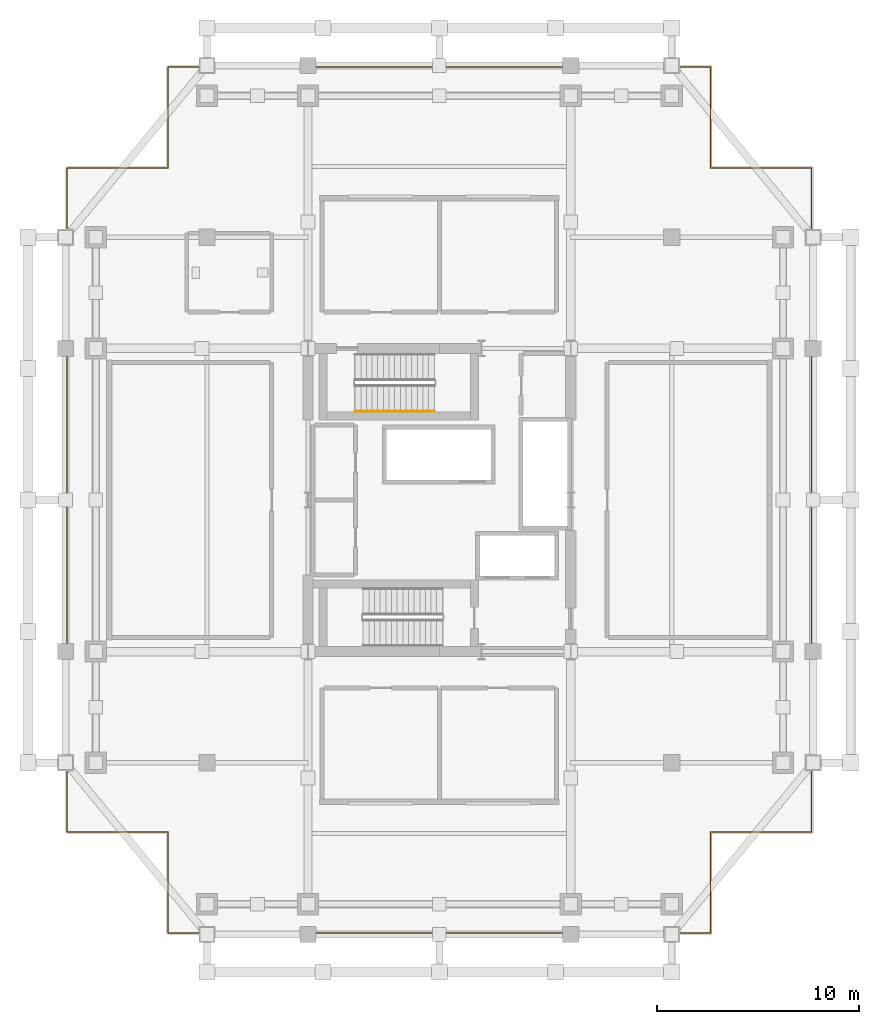
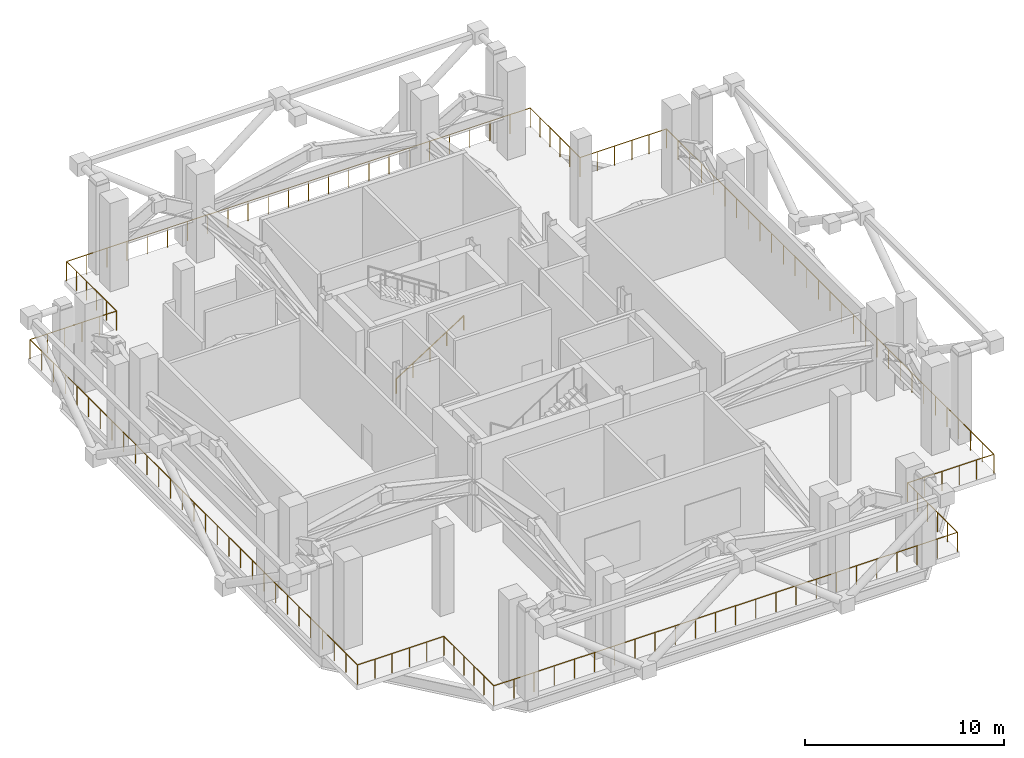
# One storey, part 7 of 9: 2 railings.
"""IFC4 building model written with IfcOpenShell, lengths in metres."""

from ifc_helpers import new_model, si_unit, direction, frame, origin, origin_2d, place, context, subcontext, project, spatial, circle, extrude, material, type_object, element, save


model = new_model("IFC4")

# Units and contexts
model_context = context("Model", 3, precision=1e-05, world=origin(), true_north=direction((0.0, 1.0)))
body_context = subcontext(model_context, "Body", "Model", "MODEL_VIEW")
ifc_project = project(units=[si_unit("LENGTHUNIT", "METRE"), si_unit("AREAUNIT", "SQUARE_METRE"), si_unit("VOLUMEUNIT", "CUBIC_METRE"), si_unit("PLANEANGLEUNIT", "RADIAN"), si_unit("MASSUNIT", "GRAM", prefix="KILO")], contexts=[model_context])

# Site, building, storey
site_placement = place(None, origin())
site = spatial("IfcSite", under=ifc_project, at=site_placement, CompositionType="ELEMENT")
building_placement = place(site_placement, origin())
building = spatial("IfcBuilding", under=site, at=building_placement, Name="Barlavira Tower and Art Museum", CompositionType="ELEMENT")
storey_placement = place(building_placement, frame((0.0, 0.0, 212.39990234375)))
storey = spatial("IfcBuildingStorey", under=building, at=storey_placement, Name="L55", CompositionType="ELEMENT", Elevation=212.39990234375)

# Railings
ifc_material_1 = material(Name="Brushed stainless steel", Category="steel")
railing_type_1 = type_object("IfcRailingType", Name="Stair Pitch Tubular Steel Handrail 920", PredefinedType="HANDRAIL", material=ifc_material_1)
railing_1_placement = place(storey_placement, frame((-4.169921875, 4.39990234375, 0.18017578125)))
element("IfcRailing", 1, at=railing_1_placement, inside=storey, type_object=railing_type_1, Name="L55 ST-T2 stair handrail 1", PredefinedType="HANDRAIL", context=body_context, shape_type="SweptSolid", body=[
    extrude(circle(Radius=0.02392578125, at=origin_2d()), frame((0.0, 0.0, 0.8759765625), z_axis=(0.841171666519, 0.0, 0.540768182723), x_axis=(0.0, 1.0, 0.0)), (0.0, 0.0, 1.0), 4.66015625),
    extrude(circle(Radius=0.02099609375, at=origin_2d()), origin(), (0.0, 0.0, 1.0), 0.851806640625),
    extrude(circle(Radius=0.02099609375, at=origin_2d()), frame((0.97998046875, 0.0, 0.6298828125)), (0.0, 0.0, 1.0), 0.851806640625),
    extrude(circle(Radius=0.02099609375, at=origin_2d()), frame((1.9599609375, 0.0, 1.260009765625)), (0.0, 0.0, 1.0), 0.851806640625),
    extrude(circle(Radius=0.02099609375, at=origin_2d()), frame((2.93994140625, 0.0, 1.89013671875)), (0.0, 0.0, 1.0), 0.851806640625),
    extrude(circle(Radius=0.02099609375, at=origin_2d()), frame((3.919921875, 0.0, 2.52001953125)), (0.0, 0.0, 1.0), 0.851806640625),
])
ifc_material_2 = material(Name="Laminated safety glass and stainless steel", Category="steel")
railing_type_2 = type_object("IfcRailingType", Name="Terrace and Wind-Floor Laminated Glass Balustrade 1200", PredefinedType="BALUSTRADE", material=ifc_material_2)
railing_2_placement = place(storey_placement, frame((-13.419921875, -21.419921875, 0.0)))
element("IfcRailing", 2, at=railing_2_placement, inside=storey, type_object=railing_type_2, Name="L55 Open Wind Floor Perimeter Balustrade", PredefinedType="BALUSTRADE", context=body_context, shape_type="SweptSolid", body=[
    extrude(circle(Radius=0.02392578125, at=origin_2d()), frame((0.0, 0.0, 1.17578125), z_axis=(1.0, 0.0, 0.0), x_axis=(0.0, 1.0, 0.0)), (0.0, 0.0, 1.0), 26.83984375),
    extrude(circle(Radius=0.02392578125, at=origin_2d()), frame((26.83984375, 0.0, 1.17578125), z_axis=(0.0, 1.0, 0.0), x_axis=(-1.0, 0.0, 0.0)), (0.0, 0.0, 1.0), 5.0),
    extrude(circle(Radius=0.02392578125, at=origin_2d()), frame((26.83984375, 5.0, 1.17578125), z_axis=(1.0, 0.0, 0.0), x_axis=(0.0, 1.0, 0.0)), (0.0, 0.0, 1.0), 5.0),
    extrude(circle(Radius=0.02392578125, at=origin_2d()), frame((31.83984375, 5.0, 1.17578125), z_axis=(0.0, 1.0, 0.0), x_axis=(-1.0, 0.0, 0.0)), (0.0, 0.0, 1.0), 32.83984375),
    extrude(circle(Radius=0.02392578125, at=origin_2d()), frame((31.83984375, 37.83984375, 1.17578125), z_axis=(-1.0, 0.0, 0.0), x_axis=(0.0, -1.0, 0.0)), (0.0, 0.0, 1.0), 5.0),
    extrude(circle(Radius=0.02392578125, at=origin_2d()), frame((26.83984375, 37.83984375, 1.17578125), z_axis=(0.0, 1.0, 0.0), x_axis=(-1.0, 0.0, 0.0)), (0.0, 0.0, 1.0), 5.0),
    extrude(circle(Radius=0.02392578125, at=origin_2d()), frame((26.83984375, 42.83984375, 1.17578125), z_axis=(-1.0, 0.0, 0.0), x_axis=(0.0, -1.0, 0.0)), (0.0, 0.0, 1.0), 26.83984375),
    extrude(circle(Radius=0.02392578125, at=origin_2d()), frame((0.0, 42.83984375, 1.17578125), z_axis=(0.0, -1.0, 0.0), x_axis=(1.0, 0.0, 0.0)), (0.0, 0.0, 1.0), 5.0),
    extrude(circle(Radius=0.02392578125, at=origin_2d()), frame((0.0, 37.83984375, 1.17578125), z_axis=(-1.0, 0.0, 0.0), x_axis=(0.0, -1.0, 0.0)), (0.0, 0.0, 1.0), 5.0),
    extrude(circle(Radius=0.02392578125, at=origin_2d()), frame((-5.0, 37.83984375, 1.17578125), z_axis=(0.0, -1.0, 0.0), x_axis=(1.0, 0.0, 0.0)), (0.0, 0.0, 1.0), 32.83984375),
    extrude(circle(Radius=0.02392578125, at=origin_2d()), frame((-5.0, 5.0, 1.17578125), z_axis=(1.0, 0.0, 0.0), x_axis=(0.0, 1.0, 0.0)), (0.0, 0.0, 1.0), 5.0),
    extrude(circle(Radius=0.02392578125, at=origin_2d()), frame((0.0, 5.0, 1.17578125), z_axis=(0.0, -1.0, 0.0), x_axis=(1.0, 0.0, 0.0)), (0.0, 0.0, 1.0), 5.0),
    extrude(circle(Radius=0.02099609375, at=origin_2d()), origin(), (0.0, 0.0, 1.0), 1.15185546875),
    extrude(circle(Radius=0.02099609375, at=origin_2d()), frame((1.1669921875, 0.0, 0.0)), (0.0, 0.0, 1.0), 1.15185546875),
    extrude(circle(Radius=0.02099609375, at=origin_2d()), frame((2.333984375, 0.0, 0.0)), (0.0, 0.0, 1.0), 1.15185546875),
    extrude(circle(Radius=0.02099609375, at=origin_2d()), frame((3.500732421875, 0.0, 0.0)), (0.0, 0.0, 1.0), 1.15185546875),
    extrude(circle(Radius=0.02099609375, at=origin_2d()), frame((4.667724609375, 0.0, 0.0)), (0.0, 0.0, 1.0), 1.15185546875),
    extrude(circle(Radius=0.02099609375, at=origin_2d()), frame((5.834716796875, 0.0, 0.0)), (0.0, 0.0, 1.0), 1.15185546875),
    extrude(circle(Radius=0.02099609375, at=origin_2d()), frame((7.001708984375, 0.0, 0.0)), (0.0, 0.0, 1.0), 1.15185546875),
    extrude(circle(Radius=0.02099609375, at=origin_2d()), frame((8.168701171875, 0.0, 0.0)), (0.0, 0.0, 1.0), 1.15185546875),
    extrude(circle(Radius=0.02099609375, at=origin_2d()), frame((9.335693359375, 0.0, 0.0)), (0.0, 0.0, 1.0), 1.15185546875),
    extrude(circle(Radius=0.02099609375, at=origin_2d()), frame((10.50244140625, 0.0, 0.0)), (0.0, 0.0, 1.0), 1.15185546875),
    extrude(circle(Radius=0.02099609375, at=origin_2d()), frame((11.66943359375, 0.0, 0.0)), (0.0, 0.0, 1.0), 1.15185546875),
    extrude(circle(Radius=0.02099609375, at=origin_2d()), frame((12.83642578125, 0.0, 0.0)), (0.0, 0.0, 1.0), 1.15185546875),
    extrude(circle(Radius=0.02099609375, at=origin_2d()), frame((14.00341796875, 0.0, 0.0)), (0.0, 0.0, 1.0), 1.15185546875),
    extrude(circle(Radius=0.02099609375, at=origin_2d()), frame((15.17041015625, 0.0, 0.0)), (0.0, 0.0, 1.0), 1.15185546875),
    extrude(circle(Radius=0.02099609375, at=origin_2d()), frame((16.33740234375, 0.0, 0.0)), (0.0, 0.0, 1.0), 1.15185546875),
    extrude(circle(Radius=0.02099609375, at=origin_2d()), frame((17.504150390625, 0.0, 0.0)), (0.0, 0.0, 1.0), 1.15185546875),
    extrude(circle(Radius=0.02099609375, at=origin_2d()), frame((18.671142578125, 0.0, 0.0)), (0.0, 0.0, 1.0), 1.15185546875),
    extrude(circle(Radius=0.02099609375, at=origin_2d()), frame((19.838134765625, 0.0, 0.0)), (0.0, 0.0, 1.0), 1.15185546875),
    extrude(circle(Radius=0.02099609375, at=origin_2d()), frame((21.005126953125, 0.0, 0.0)), (0.0, 0.0, 1.0), 1.15185546875),
    extrude(circle(Radius=0.02099609375, at=origin_2d()), frame((22.172119140625, 0.0, 0.0)), (0.0, 0.0, 1.0), 1.15185546875),
    extrude(circle(Radius=0.02099609375, at=origin_2d()), frame((23.339111328125, 0.0, 0.0)), (0.0, 0.0, 1.0), 1.15185546875),
    extrude(circle(Radius=0.02099609375, at=origin_2d()), frame((24.505859375, 0.0, 0.0)), (0.0, 0.0, 1.0), 1.15185546875),
    extrude(circle(Radius=0.02099609375, at=origin_2d()), frame((25.6728515625, 0.0, 0.0)), (0.0, 0.0, 1.0), 1.15185546875),
    extrude(circle(Radius=0.02099609375, at=origin_2d()), frame((26.83984375, 0.0, 0.0)), (0.0, 0.0, 1.0), 1.15185546875),
    extrude(circle(Radius=0.02099609375, at=origin_2d()), frame((26.83984375, 1.0, 0.0)), (0.0, 0.0, 1.0), 1.15185546875),
    extrude(circle(Radius=0.02099609375, at=origin_2d()), frame((26.83984375, 2.0, 0.0)), (0.0, 0.0, 1.0), 1.15185546875),
    extrude(circle(Radius=0.02099609375, at=origin_2d()), frame((26.83984375, 3.0, 0.0)), (0.0, 0.0, 1.0), 1.15185546875),
    extrude(circle(Radius=0.02099609375, at=origin_2d()), frame((26.83984375, 4.0, 0.0)), (0.0, 0.0, 1.0), 1.15185546875),
    extrude(circle(Radius=0.02099609375, at=origin_2d()), frame((26.83984375, 5.0, 0.0)), (0.0, 0.0, 1.0), 1.15185546875),
    extrude(circle(Radius=0.02099609375, at=origin_2d()), frame((27.83984375, 5.0, 0.0)), (0.0, 0.0, 1.0), 1.15185546875),
    extrude(circle(Radius=0.02099609375, at=origin_2d()), frame((28.83984375, 5.0, 0.0)), (0.0, 0.0, 1.0), 1.15185546875),
    extrude(circle(Radius=0.02099609375, at=origin_2d()), frame((29.83984375, 5.0, 0.0)), (0.0, 0.0, 1.0), 1.15185546875),
    extrude(circle(Radius=0.02099609375, at=origin_2d()), frame((30.83984375, 5.0, 0.0)), (0.0, 0.0, 1.0), 1.15185546875),
    extrude(circle(Radius=0.02099609375, at=origin_2d()), frame((31.83984375, 5.0, 0.0)), (0.0, 0.0, 1.0), 1.15185546875),
    extrude(circle(Radius=0.02099609375, at=origin_2d()), frame((31.83984375, 6.1728515625, 0.0)), (0.0, 0.0, 1.0), 1.15185546875),
    extrude(circle(Radius=0.02099609375, at=origin_2d()), frame((31.83984375, 7.345703125, 0.0)), (0.0, 0.0, 1.0), 1.15185546875),
    extrude(circle(Radius=0.02099609375, at=origin_2d()), frame((31.83984375, 8.5185546875, 0.0)), (0.0, 0.0, 1.0), 1.15185546875),
    extrude(circle(Radius=0.02099609375, at=origin_2d()), frame((31.83984375, 9.69140625, 0.0)), (0.0, 0.0, 1.0), 1.15185546875),
    extrude(circle(Radius=0.02099609375, at=origin_2d()), frame((31.83984375, 10.8642578125, 0.0)), (0.0, 0.0, 1.0), 1.15185546875),
    extrude(circle(Radius=0.02099609375, at=origin_2d()), frame((31.83984375, 12.037109375, 0.0)), (0.0, 0.0, 1.0), 1.15185546875),
    extrude(circle(Radius=0.02099609375, at=origin_2d()), frame((31.83984375, 13.2099609375, 0.0)), (0.0, 0.0, 1.0), 1.15185546875),
    extrude(circle(Radius=0.02099609375, at=origin_2d()), frame((31.83984375, 14.3828125, 0.0)), (0.0, 0.0, 1.0), 1.15185546875),
    extrude(circle(Radius=0.02099609375, at=origin_2d()), frame((31.83984375, 15.5556640625, 0.0)), (0.0, 0.0, 1.0), 1.15185546875),
    extrude(circle(Radius=0.02099609375, at=origin_2d()), frame((31.83984375, 16.728515625, 0.0)), (0.0, 0.0, 1.0), 1.15185546875),
    extrude(circle(Radius=0.02099609375, at=origin_2d()), frame((31.83984375, 17.9013671875, 0.0)), (0.0, 0.0, 1.0), 1.15185546875),
    extrude(circle(Radius=0.02099609375, at=origin_2d()), frame((31.83984375, 19.07421875, 0.0)), (0.0, 0.0, 1.0), 1.15185546875),
    extrude(circle(Radius=0.02099609375, at=origin_2d()), frame((31.83984375, 20.2470703125, 0.0)), (0.0, 0.0, 1.0), 1.15185546875),
    extrude(circle(Radius=0.02099609375, at=origin_2d()), frame((31.83984375, 21.419921875, 0.0)), (0.0, 0.0, 1.0), 1.15185546875),
    extrude(circle(Radius=0.02099609375, at=origin_2d()), frame((31.83984375, 22.5927734375, 0.0)), (0.0, 0.0, 1.0), 1.15185546875),
    extrude(circle(Radius=0.02099609375, at=origin_2d()), frame((31.83984375, 23.765625, 0.0)), (0.0, 0.0, 1.0), 1.15185546875),
    extrude(circle(Radius=0.02099609375, at=origin_2d()), frame((31.83984375, 24.9384765625, 0.0)), (0.0, 0.0, 1.0), 1.15185546875),
    extrude(circle(Radius=0.02099609375, at=origin_2d()), frame((31.83984375, 26.111328125, 0.0)), (0.0, 0.0, 1.0), 1.15185546875),
    extrude(circle(Radius=0.02099609375, at=origin_2d()), frame((31.83984375, 27.2841796875, 0.0)), (0.0, 0.0, 1.0), 1.15185546875),
    extrude(circle(Radius=0.02099609375, at=origin_2d()), frame((31.83984375, 28.45703125, 0.0)), (0.0, 0.0, 1.0), 1.15185546875),
    extrude(circle(Radius=0.02099609375, at=origin_2d()), frame((31.83984375, 29.6298828125, 0.0)), (0.0, 0.0, 1.0), 1.15185546875),
    extrude(circle(Radius=0.02099609375, at=origin_2d()), frame((31.83984375, 30.802734375, 0.0)), (0.0, 0.0, 1.0), 1.15185546875),
    extrude(circle(Radius=0.02099609375, at=origin_2d()), frame((31.83984375, 31.9755859375, 0.0)), (0.0, 0.0, 1.0), 1.15185546875),
    extrude(circle(Radius=0.02099609375, at=origin_2d()), frame((31.83984375, 33.1484375, 0.0)), (0.0, 0.0, 1.0), 1.15185546875),
    extrude(circle(Radius=0.02099609375, at=origin_2d()), frame((31.83984375, 34.3212890625, 0.0)), (0.0, 0.0, 1.0), 1.15185546875),
    extrude(circle(Radius=0.02099609375, at=origin_2d()), frame((31.83984375, 35.494140625, 0.0)), (0.0, 0.0, 1.0), 1.15185546875),
    extrude(circle(Radius=0.02099609375, at=origin_2d()), frame((31.83984375, 36.6669921875, 0.0)), (0.0, 0.0, 1.0), 1.15185546875),
    extrude(circle(Radius=0.02099609375, at=origin_2d()), frame((31.83984375, 37.83984375, 0.0)), (0.0, 0.0, 1.0), 1.15185546875),
    extrude(circle(Radius=0.02099609375, at=origin_2d()), frame((30.83984375, 37.83984375, 0.0)), (0.0, 0.0, 1.0), 1.15185546875),
    extrude(circle(Radius=0.02099609375, at=origin_2d()), frame((29.83984375, 37.83984375, 0.0)), (0.0, 0.0, 1.0), 1.15185546875),
    extrude(circle(Radius=0.02099609375, at=origin_2d()), frame((28.83984375, 37.83984375, 0.0)), (0.0, 0.0, 1.0), 1.15185546875),
    extrude(circle(Radius=0.02099609375, at=origin_2d()), frame((27.83984375, 37.83984375, 0.0)), (0.0, 0.0, 1.0), 1.15185546875),
    extrude(circle(Radius=0.02099609375, at=origin_2d()), frame((26.83984375, 37.83984375, 0.0)), (0.0, 0.0, 1.0), 1.15185546875),
    extrude(circle(Radius=0.02099609375, at=origin_2d()), frame((26.83984375, 38.83984375, 0.0)), (0.0, 0.0, 1.0), 1.15185546875),
    extrude(circle(Radius=0.02099609375, at=origin_2d()), frame((26.83984375, 39.83984375, 0.0)), (0.0, 0.0, 1.0), 1.15185546875),
    extrude(circle(Radius=0.02099609375, at=origin_2d()), frame((26.83984375, 40.83984375, 0.0)), (0.0, 0.0, 1.0), 1.15185546875),
    extrude(circle(Radius=0.02099609375, at=origin_2d()), frame((26.83984375, 41.83984375, 0.0)), (0.0, 0.0, 1.0), 1.15185546875),
    extrude(circle(Radius=0.02099609375, at=origin_2d()), frame((26.83984375, 42.83984375, 0.0)), (0.0, 0.0, 1.0), 1.15185546875),
    extrude(circle(Radius=0.02099609375, at=origin_2d()), frame((25.6728515625, 42.83984375, 0.0)), (0.0, 0.0, 1.0), 1.15185546875),
    extrude(circle(Radius=0.02099609375, at=origin_2d()), frame((24.505859375, 42.83984375, 0.0)), (0.0, 0.0, 1.0), 1.15185546875),
    extrude(circle(Radius=0.02099609375, at=origin_2d()), frame((23.339111328125, 42.83984375, 0.0)), (0.0, 0.0, 1.0), 1.15185546875),
    extrude(circle(Radius=0.02099609375, at=origin_2d()), frame((22.172119140625, 42.83984375, 0.0)), (0.0, 0.0, 1.0), 1.15185546875),
    extrude(circle(Radius=0.02099609375, at=origin_2d()), frame((21.005126953125, 42.83984375, 0.0)), (0.0, 0.0, 1.0), 1.15185546875),
    extrude(circle(Radius=0.02099609375, at=origin_2d()), frame((19.838134765625, 42.83984375, 0.0)), (0.0, 0.0, 1.0), 1.15185546875),
    extrude(circle(Radius=0.02099609375, at=origin_2d()), frame((18.671142578125, 42.83984375, 0.0)), (0.0, 0.0, 1.0), 1.15185546875),
    extrude(circle(Radius=0.02099609375, at=origin_2d()), frame((17.504150390625, 42.83984375, 0.0)), (0.0, 0.0, 1.0), 1.15185546875),
    extrude(circle(Radius=0.02099609375, at=origin_2d()), frame((16.33740234375, 42.83984375, 0.0)), (0.0, 0.0, 1.0), 1.15185546875),
    extrude(circle(Radius=0.02099609375, at=origin_2d()), frame((15.17041015625, 42.83984375, 0.0)), (0.0, 0.0, 1.0), 1.15185546875),
    extrude(circle(Radius=0.02099609375, at=origin_2d()), frame((14.00341796875, 42.83984375, 0.0)), (0.0, 0.0, 1.0), 1.15185546875),
    extrude(circle(Radius=0.02099609375, at=origin_2d()), frame((12.83642578125, 42.83984375, 0.0)), (0.0, 0.0, 1.0), 1.15185546875),
    extrude(circle(Radius=0.02099609375, at=origin_2d()), frame((11.66943359375, 42.83984375, 0.0)), (0.0, 0.0, 1.0), 1.15185546875),
    extrude(circle(Radius=0.02099609375, at=origin_2d()), frame((10.50244140625, 42.83984375, 0.0)), (0.0, 0.0, 1.0), 1.15185546875),
    extrude(circle(Radius=0.02099609375, at=origin_2d()), frame((9.335693359375, 42.83984375, 0.0)), (0.0, 0.0, 1.0), 1.15185546875),
    extrude(circle(Radius=0.02099609375, at=origin_2d()), frame((8.168701171875, 42.83984375, 0.0)), (0.0, 0.0, 1.0), 1.15185546875),
    extrude(circle(Radius=0.02099609375, at=origin_2d()), frame((7.001708984375, 42.83984375, 0.0)), (0.0, 0.0, 1.0), 1.15185546875),
    extrude(circle(Radius=0.02099609375, at=origin_2d()), frame((5.834716796875, 42.83984375, 0.0)), (0.0, 0.0, 1.0), 1.15185546875),
    extrude(circle(Radius=0.02099609375, at=origin_2d()), frame((4.667724609375, 42.83984375, 0.0)), (0.0, 0.0, 1.0), 1.15185546875),
    extrude(circle(Radius=0.02099609375, at=origin_2d()), frame((3.500732421875, 42.83984375, 0.0)), (0.0, 0.0, 1.0), 1.15185546875),
    extrude(circle(Radius=0.02099609375, at=origin_2d()), frame((2.333984375, 42.83984375, 0.0)), (0.0, 0.0, 1.0), 1.15185546875),
    extrude(circle(Radius=0.02099609375, at=origin_2d()), frame((1.1669921875, 42.83984375, 0.0)), (0.0, 0.0, 1.0), 1.15185546875),
    extrude(circle(Radius=0.02099609375, at=origin_2d()), frame((0.0, 42.83984375, 0.0)), (0.0, 0.0, 1.0), 1.15185546875),
    extrude(circle(Radius=0.02099609375, at=origin_2d()), frame((0.0, 41.83984375, 0.0)), (0.0, 0.0, 1.0), 1.15185546875),
    extrude(circle(Radius=0.02099609375, at=origin_2d()), frame((0.0, 40.83984375, 0.0)), (0.0, 0.0, 1.0), 1.15185546875),
    extrude(circle(Radius=0.02099609375, at=origin_2d()), frame((0.0, 39.83984375, 0.0)), (0.0, 0.0, 1.0), 1.15185546875),
    extrude(circle(Radius=0.02099609375, at=origin_2d()), frame((0.0, 38.83984375, 0.0)), (0.0, 0.0, 1.0), 1.15185546875),
    extrude(circle(Radius=0.02099609375, at=origin_2d()), frame((0.0, 37.83984375, 0.0)), (0.0, 0.0, 1.0), 1.15185546875),
    extrude(circle(Radius=0.02099609375, at=origin_2d()), frame((-1.0, 37.83984375, 0.0)), (0.0, 0.0, 1.0), 1.15185546875),
    extrude(circle(Radius=0.02099609375, at=origin_2d()), frame((-2.0, 37.83984375, 0.0)), (0.0, 0.0, 1.0), 1.15185546875),
    extrude(circle(Radius=0.02099609375, at=origin_2d()), frame((-3.0, 37.83984375, 0.0)), (0.0, 0.0, 1.0), 1.15185546875),
    extrude(circle(Radius=0.02099609375, at=origin_2d()), frame((-4.0, 37.83984375, 0.0)), (0.0, 0.0, 1.0), 1.15185546875),
    extrude(circle(Radius=0.02099609375, at=origin_2d()), frame((-5.0, 37.83984375, 0.0)), (0.0, 0.0, 1.0), 1.15185546875),
    extrude(circle(Radius=0.02099609375, at=origin_2d()), frame((-5.0, 36.6669921875, 0.0)), (0.0, 0.0, 1.0), 1.15185546875),
    extrude(circle(Radius=0.02099609375, at=origin_2d()), frame((-5.0, 35.494140625, 0.0)), (0.0, 0.0, 1.0), 1.15185546875),
    extrude(circle(Radius=0.02099609375, at=origin_2d()), frame((-5.0, 34.3212890625, 0.0)), (0.0, 0.0, 1.0), 1.15185546875),
    extrude(circle(Radius=0.02099609375, at=origin_2d()), frame((-5.0, 33.1484375, 0.0)), (0.0, 0.0, 1.0), 1.15185546875),
    extrude(circle(Radius=0.02099609375, at=origin_2d()), frame((-5.0, 31.9755859375, 0.0)), (0.0, 0.0, 1.0), 1.15185546875),
    extrude(circle(Radius=0.02099609375, at=origin_2d()), frame((-5.0, 30.802734375, 0.0)), (0.0, 0.0, 1.0), 1.15185546875),
    extrude(circle(Radius=0.02099609375, at=origin_2d()), frame((-5.0, 29.6298828125, 0.0)), (0.0, 0.0, 1.0), 1.15185546875),
    extrude(circle(Radius=0.02099609375, at=origin_2d()), frame((-5.0, 28.45703125, 0.0)), (0.0, 0.0, 1.0), 1.15185546875),
    extrude(circle(Radius=0.02099609375, at=origin_2d()), frame((-5.0, 27.2841796875, 0.0)), (0.0, 0.0, 1.0), 1.15185546875),
    extrude(circle(Radius=0.02099609375, at=origin_2d()), frame((-5.0, 26.111328125, 0.0)), (0.0, 0.0, 1.0), 1.15185546875),
    extrude(circle(Radius=0.02099609375, at=origin_2d()), frame((-5.0, 24.9384765625, 0.0)), (0.0, 0.0, 1.0), 1.15185546875),
    extrude(circle(Radius=0.02099609375, at=origin_2d()), frame((-5.0, 23.765625, 0.0)), (0.0, 0.0, 1.0), 1.15185546875),
    extrude(circle(Radius=0.02099609375, at=origin_2d()), frame((-5.0, 22.5927734375, 0.0)), (0.0, 0.0, 1.0), 1.15185546875),
    extrude(circle(Radius=0.02099609375, at=origin_2d()), frame((-5.0, 21.419921875, 0.0)), (0.0, 0.0, 1.0), 1.15185546875),
    extrude(circle(Radius=0.02099609375, at=origin_2d()), frame((-5.0, 20.2470703125, 0.0)), (0.0, 0.0, 1.0), 1.15185546875),
    extrude(circle(Radius=0.02099609375, at=origin_2d()), frame((-5.0, 19.07421875, 0.0)), (0.0, 0.0, 1.0), 1.15185546875),
    extrude(circle(Radius=0.02099609375, at=origin_2d()), frame((-5.0, 17.9013671875, 0.0)), (0.0, 0.0, 1.0), 1.15185546875),
    extrude(circle(Radius=0.02099609375, at=origin_2d()), frame((-5.0, 16.728515625, 0.0)), (0.0, 0.0, 1.0), 1.15185546875),
    extrude(circle(Radius=0.02099609375, at=origin_2d()), frame((-5.0, 15.5556640625, 0.0)), (0.0, 0.0, 1.0), 1.15185546875),
    extrude(circle(Radius=0.02099609375, at=origin_2d()), frame((-5.0, 14.3828125, 0.0)), (0.0, 0.0, 1.0), 1.15185546875),
    extrude(circle(Radius=0.02099609375, at=origin_2d()), frame((-5.0, 13.2099609375, 0.0)), (0.0, 0.0, 1.0), 1.15185546875),
    extrude(circle(Radius=0.02099609375, at=origin_2d()), frame((-5.0, 12.037109375, 0.0)), (0.0, 0.0, 1.0), 1.15185546875),
    extrude(circle(Radius=0.02099609375, at=origin_2d()), frame((-5.0, 10.8642578125, 0.0)), (0.0, 0.0, 1.0), 1.15185546875),
    extrude(circle(Radius=0.02099609375, at=origin_2d()), frame((-5.0, 9.69140625, 0.0)), (0.0, 0.0, 1.0), 1.15185546875),
    extrude(circle(Radius=0.02099609375, at=origin_2d()), frame((-5.0, 8.5185546875, 0.0)), (0.0, 0.0, 1.0), 1.15185546875),
    extrude(circle(Radius=0.02099609375, at=origin_2d()), frame((-5.0, 7.345703125, 0.0)), (0.0, 0.0, 1.0), 1.15185546875),
    extrude(circle(Radius=0.02099609375, at=origin_2d()), frame((-5.0, 6.1728515625, 0.0)), (0.0, 0.0, 1.0), 1.15185546875),
    extrude(circle(Radius=0.02099609375, at=origin_2d()), frame((-5.0, 5.0, 0.0)), (0.0, 0.0, 1.0), 1.15185546875),
    extrude(circle(Radius=0.02099609375, at=origin_2d()), frame((-4.0, 5.0, 0.0)), (0.0, 0.0, 1.0), 1.15185546875),
    extrude(circle(Radius=0.02099609375, at=origin_2d()), frame((-3.0, 5.0, 0.0)), (0.0, 0.0, 1.0), 1.15185546875),
    extrude(circle(Radius=0.02099609375, at=origin_2d()), frame((-2.0, 5.0, 0.0)), (0.0, 0.0, 1.0), 1.15185546875),
    extrude(circle(Radius=0.02099609375, at=origin_2d()), frame((-1.0, 5.0, 0.0)), (0.0, 0.0, 1.0), 1.15185546875),
    extrude(circle(Radius=0.02099609375, at=origin_2d()), frame((0.0, 5.0, 0.0)), (0.0, 0.0, 1.0), 1.15185546875),
    extrude(circle(Radius=0.02099609375, at=origin_2d()), frame((0.0, 4.0, 0.0)), (0.0, 0.0, 1.0), 1.15185546875),
    extrude(circle(Radius=0.02099609375, at=origin_2d()), frame((0.0, 3.0, 0.0)), (0.0, 0.0, 1.0), 1.15185546875),
    extrude(circle(Radius=0.02099609375, at=origin_2d()), frame((0.0, 2.0, 0.0)), (0.0, 0.0, 1.0), 1.15185546875),
    extrude(circle(Radius=0.02099609375, at=origin_2d()), frame((0.0, 1.0, 0.0)), (0.0, 0.0, 1.0), 1.15185546875),
])

save(model, "model.ifc")
